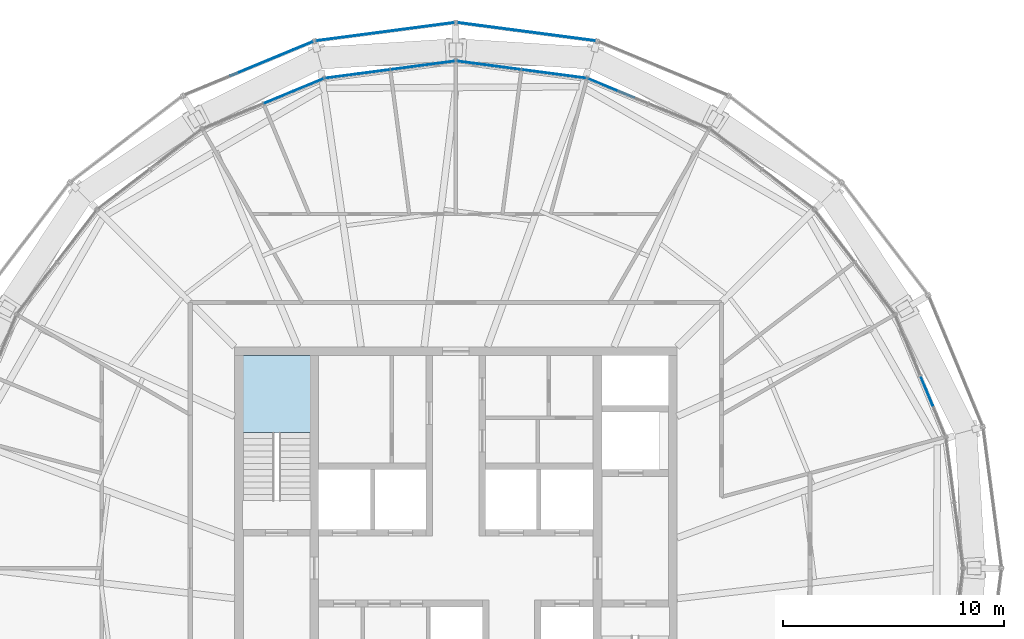
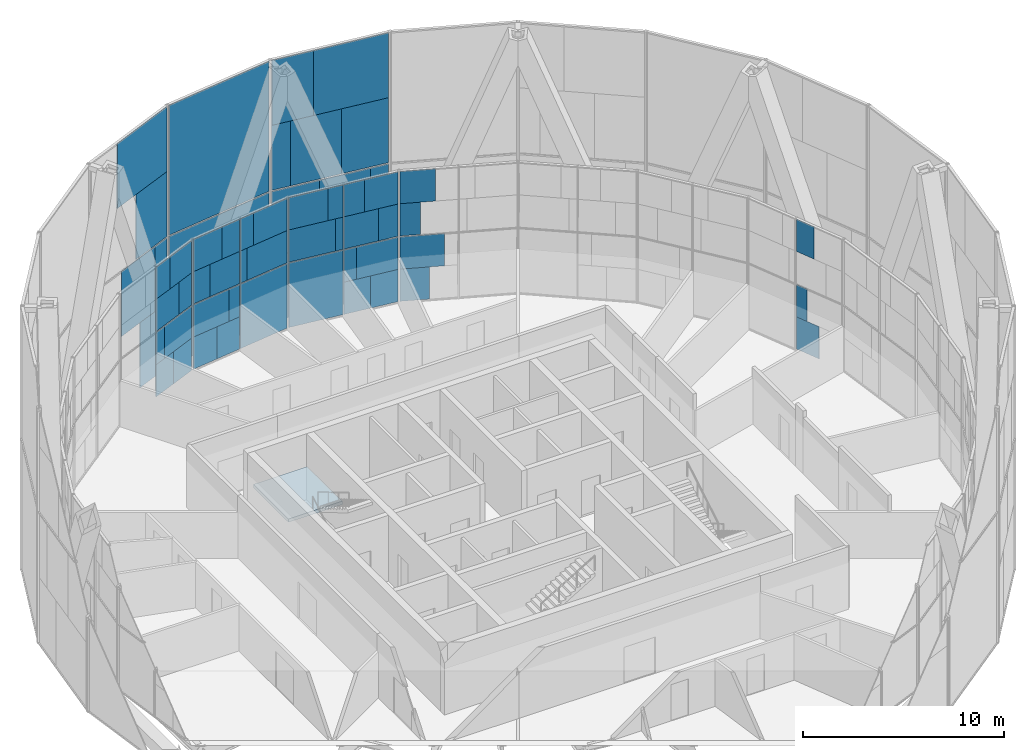
# One storey, part 17 of 23: 58 plates, 1 slab, 9 elements without a shape of their own.
"""IFC4 building model written with IfcOpenShell, lengths in metres."""

from ifc_helpers import new_model, si_unit, direction, frame, origin, origin_2d, place, context, subcontext, project, spatial, polyline, rectangle, outline, extrude, material, layer, layer_set, type_object, element, aggregate, save


model = new_model("IFC4")

# Units and contexts
model_context = context("Model", 3, precision=1e-05, world=origin(), true_north=direction((0.0, 1.0)))
body_context = subcontext(model_context, "Body", "Model", "MODEL_VIEW")
ifc_project = project(units=[si_unit("LENGTHUNIT", "METRE"), si_unit("AREAUNIT", "SQUARE_METRE"), si_unit("VOLUMEUNIT", "CUBIC_METRE"), si_unit("PLANEANGLEUNIT", "RADIAN"), si_unit("MASSUNIT", "GRAM", prefix="KILO")], contexts=[model_context])

# Site, building, storey
site_placement = place(None, origin())
site = spatial("IfcSite", under=ifc_project, at=site_placement, CompositionType="ELEMENT")
building_placement = place(site_placement, origin())
building = spatial("IfcBuilding", under=site, at=building_placement, Name="Golbaran Civic Tower", CompositionType="ELEMENT")
storey_placement = place(building_placement, frame((0.0, 0.0, 232.0)))
storey = spatial("IfcBuildingStorey", under=building, at=storey_placement, Name="L56", CompositionType="ELEMENT", Elevation=232.0)

# Curtain wall, plates
ifc_material_1 = material(Name="Aluminium and glass", Category="aluminium")
curtain_wall_type_1 = type_object("IfcCurtainWallType", Name="INNER SKIN CURTAIN WALL EXECUTIVE", PredefinedType="NOTDEFINED", material=ifc_material_1)
curtain_wall_1_placement = place(storey_placement, origin())
curtain_wall_1 = element("IfcCurtainWall", 1, at=curtain_wall_1_placement, inside=storey, type_object=curtain_wall_type_1, Name="Inner skin L56 facet 2 CW2", ObjectType="INNER SKIN", PredefinedType="USERDEFINED")
ifc_material_2 = material(Name="Clear insulating glass", Category="glass")
ifc_layer_1 = layer(ifc_material_2, 0.031982421875, Name="Clear insulating glass")
ifc_layer_set_1 = layer_set([ifc_layer_1], Name="Clear insulating glass")
plate_type_1 = type_object("IfcPlateType", Name="INNER SKIN CURTAIN WALL EXECUTIVE GLAZED PANEL", PredefinedType="CURTAIN_PANEL", material=ifc_layer_set_1)
plate_1_placement = place(storey_placement, frame((21.271484375, 8.008544921875, 0.06005859375), z_axis=(0.0, 0.0, 1.0), x_axis=(-0.382683432365, 0.923879532511, 0.0)))
plate_1 = element("IfcPlate", 2, at=plate_1_placement, type_object=plate_type_1, Name="CW2 panel 1.1 part 2", PredefinedType="CURTAIN_PANEL", context=body_context, shape_type="SweptSolid", body=[
    extrude(rectangle(XDim=1.4228515625, YDim=0.031982421875, at=origin_2d()), origin(), (0.0, 0.0, 1.0), 1.955078125),
])
plate_2_placement = place(storey_placement, frame((21.127197265625, 8.356689453125, 2.014892578125), z_axis=(0.0, 0.0, 1.0), x_axis=(-0.382683432365, 0.923879532511, 0.0)))
plate_2 = element("IfcPlate", 3, at=plate_2_placement, type_object=plate_type_1, Name="CW2 panel 1.1 part 4", PredefinedType="CURTAIN_PANEL", context=body_context, shape_type="SweptSolid", body=[
    extrude(rectangle(XDim=0.668701171875, YDim=0.031982421875, at=origin_2d()), origin(), (0.0, 0.0, 1.0), 1.955078125),
])

curtain_wall_2_placement = place(storey_placement, origin())
curtain_wall_2 = element("IfcCurtainWall", 4, at=curtain_wall_2_placement, inside=storey, type_object=curtain_wall_type_1, Name="Inner skin L56 facet 5 CW2", ObjectType="INNER SKIN", PredefinedType="USERDEFINED")
plate_3_placement = place(storey_placement, frame((6.464111328125, 21.9111328125, 4.030029296875), z_axis=(0.0, 0.0, 1.0), x_axis=(-0.923879532511, 0.382683432365, 0.0)))
plate_3 = element("IfcPlate", 5, at=plate_3_placement, type_object=plate_type_1, Name="CW2 panel 2.2 part 2", PredefinedType="CURTAIN_PANEL", context=body_context, shape_type="SweptSolid", body=[
    extrude(rectangle(XDim=1.03564453125, YDim=0.031982421875, at=origin_2d()), origin(), (0.0, 0.0, 1.0), 1.955078125),
])
plate_4_placement = place(storey_placement, frame((6.8125, 21.766845703125, 5.98486328125), z_axis=(0.0, 0.0, 1.0), x_axis=(-0.923879532511, 0.382683432365, 0.0)))
plate_4 = element("IfcPlate", 6, at=plate_4_placement, type_object=plate_type_1, Name="CW2 panel 2.2 part 4", PredefinedType="CURTAIN_PANEL", context=body_context, shape_type="SweptSolid", body=[
    extrude(rectangle(XDim=1.789794921875, YDim=0.031982421875, at=origin_2d()), origin(), (0.0, 0.0, 1.0), 1.955078125),
])

curtain_wall_3_placement = place(storey_placement, origin())
curtain_wall_3 = element("IfcCurtainWall", 7, at=curtain_wall_3_placement, inside=storey, type_object=curtain_wall_type_1, Name="Inner skin L56 facet 6 CW2", ObjectType="INNER SKIN", PredefinedType="USERDEFINED")
plate_5_placement = place(storey_placement, frame((3.7001953125, 22.42578125, 0.06005859375), z_axis=(0.0, 0.0, 1.0), x_axis=(-0.991444861378, 0.130526192185, 0.0)))
plate_5 = element("IfcPlate", 8, at=plate_5_placement, type_object=plate_type_1, Name="CW2 panel 1.1 part 2", PredefinedType="CURTAIN_PANEL", context=body_context, shape_type="SweptSolid", body=[
    extrude(rectangle(XDim=1.4228515625, YDim=0.031982421875, at=origin_2d()), origin(), (0.0, 0.0, 1.0), 1.955078125),
])
plate_6_placement = place(storey_placement, frame((3.326416015625, 22.47509765625, 2.014892578125), z_axis=(0.0, 0.0, 1.0), x_axis=(-0.991444861378, 0.130526192185, 0.0)))
plate_6 = element("IfcPlate", 9, at=plate_6_placement, type_object=plate_type_1, Name="CW2 panel 1.1 part 4", PredefinedType="CURTAIN_PANEL", context=body_context, shape_type="SweptSolid", body=[
    extrude(rectangle(XDim=0.668701171875, YDim=0.031982421875, at=origin_2d()), origin(), (0.0, 0.0, 1.0), 1.955078125),
])
plate_7_placement = place(storey_placement, frame((5.357666015625, 22.20751953125, 4.030029296875), z_axis=(0.0, 0.0, 1.0), x_axis=(-0.991444861378, 0.130526192185, 0.0)))
plate_7 = element("IfcPlate", 10, at=plate_7_placement, type_object=plate_type_1, Name="CW2 panel 1.2 part 1", PredefinedType="CURTAIN_PANEL", context=body_context, shape_type="SweptSolid", body=[
    extrude(rectangle(XDim=1.034912109375, YDim=0.031982421875, at=origin_2d()), origin(), (0.0, 0.0, 1.0), 1.955078125),
])
plate_8_placement = place(storey_placement, frame((4.98388671875, 22.2568359375, 5.98486328125), z_axis=(0.0, 0.0, 1.0), x_axis=(-0.991444861378, 0.130526192185, 0.0)))
plate_8 = element("IfcPlate", 11, at=plate_8_placement, type_object=plate_type_1, Name="CW2 panel 1.2 part 3", PredefinedType="CURTAIN_PANEL", context=body_context, shape_type="SweptSolid", body=[
    extrude(rectangle(XDim=1.7890625, YDim=0.031982421875, at=origin_2d()), origin(), (0.0, 0.0, 1.0), 1.955078125),
])
plate_9_placement = place(storey_placement, frame((1.49755859375, 22.7158203125, 0.06005859375), z_axis=(0.0, 0.0, 1.0), x_axis=(-0.991444861378, 0.130526192185, 0.0)))
plate_9 = element("IfcPlate", 12, at=plate_9_placement, type_object=plate_type_1, Name="CW2 panel 2.1", PredefinedType="CURTAIN_PANEL", context=body_context, shape_type="SweptSolid", body=[
    extrude(rectangle(XDim=2.900634765625, YDim=0.031982421875, at=origin_2d()), origin(), (0.0, 0.0, 1.0), 3.909912109375),
])
plate_10_placement = place(storey_placement, frame((1.299072265625, 22.741943359375, 4.030029296875), z_axis=(0.0, 0.0, 1.0), x_axis=(-0.991444861378, 0.130526192185, 0.0)))
plate_10 = element("IfcPlate", 13, at=plate_10_placement, type_object=plate_type_1, Name="CW2 panel 2.2 part 2", PredefinedType="CURTAIN_PANEL", context=body_context, shape_type="SweptSolid", body=[
    extrude(rectangle(XDim=2.500732421875, YDim=0.031982421875, at=origin_2d()), origin(), (0.0, 0.0, 1.0), 1.955078125),
])
plate_11_placement = place(storey_placement, frame((1.099853515625, 22.768310546875, 5.98486328125), z_axis=(0.0, 0.0, 1.0), x_axis=(-0.991444861378, 0.130526192185, 0.0)))
plate_11 = element("IfcPlate", 14, at=plate_11_placement, type_object=plate_type_1, Name="CW2 panel 2.2 part 4", PredefinedType="CURTAIN_PANEL", context=body_context, shape_type="SweptSolid", body=[
    extrude(rectangle(XDim=2.0986328125, YDim=0.031982421875, at=origin_2d()), origin(), (0.0, 0.0, 1.0), 1.955078125),
])

curtain_wall_4_placement = place(storey_placement, origin())
curtain_wall_4 = element("IfcCurtainWall", 15, at=curtain_wall_4_placement, inside=storey, type_object=curtain_wall_type_1, Name="Inner skin L56 facet 7 CW2", ObjectType="INNER SKIN", PredefinedType="USERDEFINED")
plate_12_placement = place(storey_placement, frame((-1.49755859375, 22.7158203125, 0.06005859375), z_axis=(0.0, 0.0, 1.0), x_axis=(-0.991444861378, -0.130526192185, 0.0)))
plate_12 = element("IfcPlate", 16, at=plate_12_placement, type_object=plate_type_1, Name="CW2 panel 1.1", PredefinedType="CURTAIN_PANEL", context=body_context, shape_type="SweptSolid", body=[
    extrude(rectangle(XDim=2.900634765625, YDim=0.031982421875, at=origin_2d()), origin(), (0.0, 0.0, 1.0), 3.909912109375),
])
plate_13_placement = place(storey_placement, frame((-1.29833984375, 22.7421875, 4.030029296875), z_axis=(0.0, 0.0, 1.0), x_axis=(-0.991444861378, -0.130526192185, 0.0)))
plate_13 = element("IfcPlate", 17, at=plate_13_placement, type_object=plate_type_1, Name="CW2 panel 1.2 part 1", PredefinedType="CURTAIN_PANEL", context=body_context, shape_type="SweptSolid", body=[
    extrude(rectangle(XDim=2.4990234375, YDim=0.031982421875, at=origin_2d()), origin(), (0.0, 0.0, 1.0), 1.955078125),
])
plate_14_placement = place(storey_placement, frame((-1.099609375, 22.768310546875, 5.98486328125), z_axis=(0.0, 0.0, 1.0), x_axis=(-0.991444861378, -0.130526192185, 0.0)))
plate_14 = element("IfcPlate", 18, at=plate_14_placement, type_object=plate_type_1, Name="CW2 panel 1.2 part 3", PredefinedType="CURTAIN_PANEL", context=body_context, shape_type="SweptSolid", body=[
    extrude(rectangle(XDim=2.097900390625, YDim=0.031982421875, at=origin_2d()), origin(), (0.0, 0.0, 1.0), 1.955078125),
])
plate_15_placement = place(storey_placement, frame((-3.7001953125, 22.42578125, 0.06005859375), z_axis=(0.0, 0.0, 1.0), x_axis=(-0.991444861378, -0.130526192185, 0.0)))
plate_15 = element("IfcPlate", 19, at=plate_15_placement, type_object=plate_type_1, Name="CW2 panel 2.1 part 1", PredefinedType="CURTAIN_PANEL", context=body_context, shape_type="SweptSolid", body=[
    extrude(rectangle(XDim=1.423095703125, YDim=0.031982421875, at=origin_2d()), origin(), (0.0, 0.0, 1.0), 1.955078125),
])
plate_16_placement = place(storey_placement, frame((-3.32666015625, 22.47509765625, 2.014892578125), z_axis=(0.0, 0.0, 1.0), x_axis=(-0.991444861378, -0.130526192185, 0.0)))
plate_16 = element("IfcPlate", 20, at=plate_16_placement, type_object=plate_type_1, Name="CW2 panel 2.1 part 3", PredefinedType="CURTAIN_PANEL", context=body_context, shape_type="SweptSolid", body=[
    extrude(rectangle(XDim=0.6689453125, YDim=0.031982421875, at=origin_2d()), origin(), (0.0, 0.0, 1.0), 1.955078125),
])
plate_17_placement = place(storey_placement, frame((-5.357421875, 22.207763671875, 4.030029296875), z_axis=(0.0, 0.0, 1.0), x_axis=(-0.991444861378, -0.130526192185, 0.0)))
plate_17 = element("IfcPlate", 21, at=plate_17_placement, type_object=plate_type_1, Name="CW2 panel 2.2 part 2", PredefinedType="CURTAIN_PANEL", context=body_context, shape_type="SweptSolid", body=[
    extrude(rectangle(XDim=1.03564453125, YDim=0.031982421875, at=origin_2d()), origin(), (0.0, 0.0, 1.0), 1.955078125),
])
plate_18_placement = place(storey_placement, frame((-4.983642578125, 22.2568359375, 5.98486328125), z_axis=(0.0, 0.0, 1.0), x_axis=(-0.991444861378, -0.130526192185, 0.0)))
plate_18 = element("IfcPlate", 22, at=plate_18_placement, type_object=plate_type_1, Name="CW2 panel 2.2 part 4", PredefinedType="CURTAIN_PANEL", context=body_context, shape_type="SweptSolid", body=[
    extrude(rectangle(XDim=1.789794921875, YDim=0.031982421875, at=origin_2d()), origin(), (0.0, 0.0, 1.0), 1.955078125),
])

curtain_wall_5_placement = place(storey_placement, origin())
curtain_wall_5 = element("IfcCurtainWall", 23, at=curtain_wall_5_placement, inside=storey, type_object=curtain_wall_type_1, Name="Inner skin L56 facet 8 CW2", ObjectType="INNER SKIN", PredefinedType="USERDEFINED")
plate_19_placement = place(storey_placement, frame((-8.008544921875, 21.271484375, 0.06005859375), z_axis=(0.0, 0.0, 1.0), x_axis=(-0.923879532511, -0.382683432365, 0.0)))
plate_19 = element("IfcPlate", 24, at=plate_19_placement, type_object=plate_type_1, Name="CW2 panel 1.1 part 2", PredefinedType="CURTAIN_PANEL", context=body_context, shape_type="SweptSolid", body=[
    extrude(rectangle(XDim=1.4228515625, YDim=0.031982421875, at=origin_2d()), origin(), (0.0, 0.0, 1.0), 1.955078125),
])
plate_20_placement = place(storey_placement, frame((-8.356689453125, 21.127197265625, 2.014892578125), z_axis=(0.0, 0.0, 1.0), x_axis=(-0.923879532511, -0.382683432365, 0.0)))
plate_20 = element("IfcPlate", 25, at=plate_20_placement, type_object=plate_type_1, Name="CW2 panel 1.1 part 4", PredefinedType="CURTAIN_PANEL", context=body_context, shape_type="SweptSolid", body=[
    extrude(rectangle(XDim=0.668701171875, YDim=0.031982421875, at=origin_2d()), origin(), (0.0, 0.0, 1.0), 1.955078125),
])
plate_21_placement = place(storey_placement, frame((-6.4638671875, 21.911376953125, 4.030029296875), z_axis=(0.0, 0.0, 1.0), x_axis=(-0.923879532511, -0.382683432365, 0.0)))
plate_21 = element("IfcPlate", 26, at=plate_21_placement, type_object=plate_type_1, Name="CW2 panel 1.2 part 1", PredefinedType="CURTAIN_PANEL", context=body_context, shape_type="SweptSolid", body=[
    extrude(rectangle(XDim=1.034912109375, YDim=0.031982421875, at=origin_2d()), origin(), (0.0, 0.0, 1.0), 1.955078125),
])
plate_22_placement = place(storey_placement, frame((-6.812255859375, 21.76708984375, 5.98486328125), z_axis=(0.0, 0.0, 1.0), x_axis=(-0.923879532511, -0.382683432365, 0.0)))
plate_22 = element("IfcPlate", 27, at=plate_22_placement, type_object=plate_type_1, Name="CW2 panel 1.2 part 3", PredefinedType="CURTAIN_PANEL", context=body_context, shape_type="SweptSolid", body=[
    extrude(rectangle(XDim=1.7890625, YDim=0.031982421875, at=origin_2d()), origin(), (0.0, 0.0, 1.0), 1.955078125),
])

# Plate
ifc_material_3 = material(Name="Aluminium faced opaque infill panel", Category="aluminium")
ifc_layer_2 = layer(ifc_material_3, 0.031982421875, Name="Aluminium faced opaque infill panel")
ifc_layer_set_2 = layer_set([ifc_layer_2], Name="Aluminium faced opaque infill panel")
plate_type_2 = type_object("IfcPlateType", Name="INNER SKIN CURTAIN WALL EXECUTIVE OPAQUE INFILL PANEL", PredefinedType="CURTAIN_PANEL", material=ifc_layer_set_2)
plate_23_placement = place(storey_placement, frame((21.2119140625, 8.152099609375, 5.98486328125), z_axis=(0.0, 0.0, 1.0), x_axis=(-0.382683432365, 0.923879532511, 0.0)))
plate_23 = element("IfcPlate", 28, at=plate_23_placement, type_object=plate_type_2, Name="CW2 infill panel 1.2 part 4", PredefinedType="CURTAIN_PANEL", context=body_context, shape_type="SweptSolid", body=[
    extrude(rectangle(XDim=1.11181640625, YDim=0.031982421875, at=origin_2d()), origin(), (0.0, 0.0, 1.0), 1.955078125),
])

aggregate(curtain_wall_1, [plate_1, plate_2, plate_23])

plate_24_placement = place(storey_placement, frame((6.66845703125, 21.82666015625, 0.06005859375), z_axis=(0.0, 0.0, 1.0), x_axis=(-0.923879532511, 0.382683432365, 0.0)))
plate_24 = element("IfcPlate", 29, at=plate_24_placement, type_object=plate_type_2, Name="CW2 infill panel 2.1 part 2", PredefinedType="CURTAIN_PANEL", context=body_context, shape_type="SweptSolid", body=[
    extrude(rectangle(XDim=1.477783203125, YDim=0.031982421875, at=origin_2d()), origin(), (0.0, 0.0, 1.0), 1.955078125),
])

plate_25_placement = place(storey_placement, frame((7.0166015625, 21.682373046875, 2.014892578125), z_axis=(0.0, 0.0, 1.0), x_axis=(-0.923879532511, 0.382683432365, 0.0)))
plate_25 = element("IfcPlate", 30, at=plate_25_placement, type_object=plate_type_2, Name="CW2 infill panel 2.1 part 4", PredefinedType="CURTAIN_PANEL", context=body_context, shape_type="SweptSolid", body=[
    extrude(rectangle(XDim=2.231689453125, YDim=0.031982421875, at=origin_2d()), origin(), (0.0, 0.0, 1.0), 1.955078125),
])

aggregate(curtain_wall_2, [plate_24, plate_25, plate_3, plate_4])

plate_26_placement = place(storey_placement, frame((5.13818359375, 22.236572265625, 0.06005859375), z_axis=(0.0, 0.0, 1.0), x_axis=(-0.991444861378, 0.130526192185, 0.0)))
plate_26 = element("IfcPlate", 31, at=plate_26_placement, type_object=plate_type_2, Name="CW2 infill panel 1.1 part 1", PredefinedType="CURTAIN_PANEL", context=body_context, shape_type="SweptSolid", body=[
    extrude(rectangle(XDim=1.47802734375, YDim=0.031982421875, at=origin_2d()), origin(), (0.0, 0.0, 1.0), 1.955078125),
])

plate_27_placement = place(storey_placement, frame((4.764404296875, 22.28564453125, 2.014892578125), z_axis=(0.0, 0.0, 1.0), x_axis=(-0.991444861378, 0.130526192185, 0.0)))
plate_27 = element("IfcPlate", 32, at=plate_27_placement, type_object=plate_type_2, Name="CW2 infill panel 1.1 part 3", PredefinedType="CURTAIN_PANEL", context=body_context, shape_type="SweptSolid", body=[
    extrude(rectangle(XDim=2.23193359375, YDim=0.031982421875, at=origin_2d()), origin(), (0.0, 0.0, 1.0), 1.955078125),
])

plate_28_placement = place(storey_placement, frame((3.919677734375, 22.39697265625, 4.030029296875), z_axis=(0.0, 0.0, 1.0), x_axis=(-0.991444861378, 0.130526192185, 0.0)))
plate_28 = element("IfcPlate", 33, at=plate_28_placement, type_object=plate_type_2, Name="CW2 infill panel 1.2 part 2", PredefinedType="CURTAIN_PANEL", context=body_context, shape_type="SweptSolid", body=[
    extrude(rectangle(XDim=1.86572265625, YDim=0.031982421875, at=origin_2d()), origin(), (0.0, 0.0, 1.0), 1.955078125),
])

plate_29_placement = place(storey_placement, frame((3.546142578125, 22.446044921875, 5.98486328125), z_axis=(0.0, 0.0, 1.0), x_axis=(-0.991444861378, 0.130526192185, 0.0)))
plate_29 = element("IfcPlate", 34, at=plate_29_placement, type_object=plate_type_2, Name="CW2 infill panel 1.2 part 4", PredefinedType="CURTAIN_PANEL", context=body_context, shape_type="SweptSolid", body=[
    extrude(rectangle(XDim=1.11181640625, YDim=0.031982421875, at=origin_2d()), origin(), (0.0, 0.0, 1.0), 1.955078125),
])

plate_30_placement = place(storey_placement, frame((2.737060546875, 22.552734375, 4.030029296875), z_axis=(0.0, 0.0, 1.0), x_axis=(-0.991444861378, 0.130526192185, 0.0)))
plate_30 = element("IfcPlate", 35, at=plate_30_placement, type_object=plate_type_2, Name="CW2 infill panel 2.2 part 1", PredefinedType="CURTAIN_PANEL", context=body_context, shape_type="SweptSolid", body=[
    extrude(rectangle(XDim=0.39990234375, YDim=0.031982421875, at=origin_2d()), origin(), (0.0, 0.0, 1.0), 1.955078125),
])

plate_31_placement = place(storey_placement, frame((2.537841796875, 22.578857421875, 5.98486328125), z_axis=(0.0, 0.0, 1.0), x_axis=(-0.991444861378, 0.130526192185, 0.0)))
plate_31 = element("IfcPlate", 36, at=plate_31_placement, type_object=plate_type_2, Name="CW2 infill panel 2.2 part 3", PredefinedType="CURTAIN_PANEL", context=body_context, shape_type="SweptSolid", body=[
    extrude(rectangle(XDim=0.802001953125, YDim=0.031982421875, at=origin_2d()), origin(), (0.0, 0.0, 1.0), 1.955078125),
])

aggregate(curtain_wall_3, [plate_26, plate_5, plate_27, plate_6, plate_7, plate_28, plate_8, plate_29, plate_9, plate_30, plate_10, plate_31, plate_11])

plate_32_placement = place(storey_placement, frame((-2.736328125, 22.552734375, 4.030029296875), z_axis=(0.0, 0.0, 1.0), x_axis=(-0.991444861378, -0.130526192185, 0.0)))
plate_32 = element("IfcPlate", 37, at=plate_32_placement, type_object=plate_type_2, Name="CW2 infill panel 1.2 part 2", PredefinedType="CURTAIN_PANEL", context=body_context, shape_type="SweptSolid", body=[
    extrude(rectangle(XDim=0.40185546875, YDim=0.031982421875, at=origin_2d()), origin(), (0.0, 0.0, 1.0), 1.955078125),
])

plate_33_placement = place(storey_placement, frame((-2.53759765625, 22.578857421875, 5.98486328125), z_axis=(0.0, 0.0, 1.0), x_axis=(-0.991444861378, -0.130526192185, 0.0)))
plate_33 = element("IfcPlate", 38, at=plate_33_placement, type_object=plate_type_2, Name="CW2 infill panel 1.2 part 4", PredefinedType="CURTAIN_PANEL", context=body_context, shape_type="SweptSolid", body=[
    extrude(rectangle(XDim=0.802734375, YDim=0.031982421875, at=origin_2d()), origin(), (0.0, 0.0, 1.0), 1.955078125),
])

plate_34_placement = place(storey_placement, frame((-5.13818359375, 22.236572265625, 0.06005859375), z_axis=(0.0, 0.0, 1.0), x_axis=(-0.991444861378, -0.130526192185, 0.0)))
plate_34 = element("IfcPlate", 39, at=plate_34_placement, type_object=plate_type_2, Name="CW2 infill panel 2.1 part 2", PredefinedType="CURTAIN_PANEL", context=body_context, shape_type="SweptSolid", body=[
    extrude(rectangle(XDim=1.477783203125, YDim=0.031982421875, at=origin_2d()), origin(), (0.0, 0.0, 1.0), 1.955078125),
])

plate_35_placement = place(storey_placement, frame((-4.764404296875, 22.28564453125, 2.014892578125), z_axis=(0.0, 0.0, 1.0), x_axis=(-0.991444861378, -0.130526192185, 0.0)))
plate_35 = element("IfcPlate", 40, at=plate_35_placement, type_object=plate_type_2, Name="CW2 infill panel 2.1 part 4", PredefinedType="CURTAIN_PANEL", context=body_context, shape_type="SweptSolid", body=[
    extrude(rectangle(XDim=2.231689453125, YDim=0.031982421875, at=origin_2d()), origin(), (0.0, 0.0, 1.0), 1.955078125),
])

plate_36_placement = place(storey_placement, frame((-3.91943359375, 22.39697265625, 4.030029296875), z_axis=(0.0, 0.0, 1.0), x_axis=(-0.991444861378, -0.130526192185, 0.0)))
plate_36 = element("IfcPlate", 41, at=plate_36_placement, type_object=plate_type_2, Name="CW2 infill panel 2.2 part 1", PredefinedType="CURTAIN_PANEL", context=body_context, shape_type="SweptSolid", body=[
    extrude(rectangle(XDim=1.864990234375, YDim=0.031982421875, at=origin_2d()), origin(), (0.0, 0.0, 1.0), 1.955078125),
])

plate_37_placement = place(storey_placement, frame((-3.545654296875, 22.4462890625, 5.98486328125), z_axis=(0.0, 0.0, 1.0), x_axis=(-0.991444861378, -0.130526192185, 0.0)))
plate_37 = element("IfcPlate", 42, at=plate_37_placement, type_object=plate_type_2, Name="CW2 infill panel 2.2 part 3", PredefinedType="CURTAIN_PANEL", context=body_context, shape_type="SweptSolid", body=[
    extrude(rectangle(XDim=1.111083984375, YDim=0.031982421875, at=origin_2d()), origin(), (0.0, 0.0, 1.0), 1.955078125),
])

aggregate(curtain_wall_4, [plate_12, plate_13, plate_32, plate_14, plate_33, plate_15, plate_34, plate_16, plate_35, plate_36, plate_17, plate_37, plate_18])

plate_38_placement = place(storey_placement, frame((-6.66845703125, 21.826416015625, 0.06005859375), z_axis=(0.0, 0.0, 1.0), x_axis=(-0.923879532511, -0.382683432365, 0.0)))
plate_38 = element("IfcPlate", 43, at=plate_38_placement, type_object=plate_type_2, Name="CW2 infill panel 1.1 part 1", PredefinedType="CURTAIN_PANEL", context=body_context, shape_type="SweptSolid", body=[
    extrude(rectangle(XDim=1.47802734375, YDim=0.031982421875, at=origin_2d()), origin(), (0.0, 0.0, 1.0), 1.955078125),
])

plate_39_placement = place(storey_placement, frame((-7.016845703125, 21.68212890625, 2.014892578125), z_axis=(0.0, 0.0, 1.0), x_axis=(-0.923879532511, -0.382683432365, 0.0)))
plate_39 = element("IfcPlate", 44, at=plate_39_placement, type_object=plate_type_2, Name="CW2 infill panel 1.1 part 3", PredefinedType="CURTAIN_PANEL", context=body_context, shape_type="SweptSolid", body=[
    extrude(rectangle(XDim=2.23193359375, YDim=0.031982421875, at=origin_2d()), origin(), (0.0, 0.0, 1.0), 1.955078125),
])

plate_40_placement = place(storey_placement, frame((-7.8037109375, 21.356201171875, 4.030029296875), z_axis=(0.0, 0.0, 1.0), x_axis=(-0.923879532511, -0.382683432365, 0.0)))
plate_40 = element("IfcPlate", 45, at=plate_40_placement, type_object=plate_type_2, Name="CW2 infill panel 1.2 part 2", PredefinedType="CURTAIN_PANEL", context=body_context, shape_type="SweptSolid", body=[
    extrude(rectangle(XDim=1.86572265625, YDim=0.031982421875, at=origin_2d()), origin(), (0.0, 0.0, 1.0), 1.955078125),
])

plate_41_placement = place(storey_placement, frame((-8.152099609375, 21.2119140625, 5.98486328125), z_axis=(0.0, 0.0, 1.0), x_axis=(-0.923879532511, -0.382683432365, 0.0)))
plate_41 = element("IfcPlate", 46, at=plate_41_placement, type_object=plate_type_2, Name="CW2 infill panel 1.2 part 4", PredefinedType="CURTAIN_PANEL", context=body_context, shape_type="SweptSolid", body=[
    extrude(rectangle(XDim=1.11181640625, YDim=0.031982421875, at=origin_2d()), origin(), (0.0, 0.0, 1.0), 1.955078125),
])

aggregate(curtain_wall_5, [plate_38, plate_19, plate_39, plate_20, plate_21, plate_40, plate_22, plate_41])

# Curtain wall, plates
curtain_wall_type_2 = type_object("IfcCurtainWallType", Name="OUTER SKIN TERRACOTTA SCREEN", PredefinedType="NOTDEFINED", material=ifc_material_1)
curtain_wall_6_placement = place(storey_placement, origin())
curtain_wall_6 = element("IfcCurtainWall", 47, at=curtain_wall_6_placement, inside=storey, type_object=curtain_wall_type_2, Name="Outer skin L56 facet 6 CW3", ObjectType="OUTER SKIN", PredefinedType="USERDEFINED")
ifc_material_4 = material(Name="Clear laminated glass", Category="glass")
ifc_layer_3 = layer(ifc_material_4, 0.0400390625, Name="Clear laminated glass")
ifc_layer_set_3 = layer_set([ifc_layer_3], Name="Clear laminated glass")
plate_type_3 = type_object("IfcPlateType", Name="OUTER SKIN CLEAR GLASS PANEL", PredefinedType="CURTAIN_PANEL", material=ifc_layer_set_3)
plate_42_placement = place(storey_placement, frame((2.107421875, 24.37744140625, -0.6298828125), z_axis=(0.0, 0.0, 1.0), x_axis=(-0.991444861372, 0.130526192237, 0.0)))
plate_42 = element("IfcPlate", 48, at=plate_42_placement, type_object=plate_type_3, Name="CW3 panel 1.1 part 2", PredefinedType="CURTAIN_PANEL", context=body_context, shape_type="SweptSolid", body=[
    extrude(rectangle(XDim=4.09130859375, YDim=0.0400390625, at=origin_2d()), origin(), (0.0, 0.0, 1.0), 3.93994140625),
])
plate_43_placement = place(storey_placement, frame((5.823486328125, 23.888427734375, 3.31005859375), z_axis=(0.0, 0.0, 1.0), x_axis=(-0.991444861372, 0.130526192237, 0.0)))
plate_43 = element("IfcPlate", 49, at=plate_43_placement, type_object=plate_type_3, Name="CW3 panel 1.1 part 3", PredefinedType="CURTAIN_PANEL", context=body_context, shape_type="SweptSolid", body=[
    extrude(rectangle(XDim=0.965087890625, YDim=0.0400390625, at=origin_2d()), origin(), (0.0, 0.0, 1.0), 3.93994140625),
])
plate_44_placement = place(storey_placement, frame((1.3544921875, 24.476806640625, 3.31005859375), z_axis=(0.0, 0.0, 1.0), x_axis=(-0.991444861372, 0.130526192237, 0.0)))
plate_44 = element("IfcPlate", 50, at=plate_44_placement, type_object=plate_type_3, Name="CW3 panel 1.1 part 5", PredefinedType="CURTAIN_PANEL", context=body_context, shape_type="SweptSolid", body=[
    extrude(rectangle(XDim=2.572265625, YDim=0.0400390625, at=origin_2d()), origin(), (0.0, 0.0, 1.0), 3.93994140625),
])
plate_45_placement = place(storey_placement, frame((5.05517578125, 23.989501953125, 7.330078125), z_axis=(0.0, 0.0, 1.0), x_axis=(-0.991444861372, 0.130526192237, 0.0)))
plate_45 = element("IfcPlate", 51, at=plate_45_placement, type_object=plate_type_3, Name="CW3 panel 1.2 part 1", PredefinedType="CURTAIN_PANEL", context=body_context, shape_type="SweptSolid", body=[
    extrude(rectangle(XDim=2.514892578125, YDim=0.0400390625, at=origin_2d()), origin(), (0.0, 0.0, 1.0), 3.93994140625),
])
plate_46_placement = place(storey_placement, frame((0.58544921875, 24.577880859375, 7.330078125), z_axis=(0.0, 0.0, 1.0), x_axis=(-0.991444861372, 0.130526192237, 0.0)))
plate_46 = element("IfcPlate", 52, at=plate_46_placement, type_object=plate_type_3, Name="CW3 panel 1.2 part 3", PredefinedType="CURTAIN_PANEL", context=body_context, shape_type="SweptSolid", body=[
    extrude(rectangle(XDim=1.021240234375, YDim=0.0400390625, at=origin_2d()), origin(), (0.0, 0.0, 1.0), 3.93994140625),
])
plate_47_placement = place(storey_placement, frame((4.299072265625, 24.089111328125, 11.27001953125), z_axis=(0.0, 0.0, 1.0), x_axis=(-0.991444861372, 0.130526192237, 0.0)))
plate_47 = element("IfcPlate", 53, at=plate_47_placement, type_object=plate_type_3, Name="CW3 panel 1.2 part 4", PredefinedType="CURTAIN_PANEL", context=body_context, shape_type="SweptSolid", body=[
    extrude(rectangle(XDim=4.0400390625, YDim=0.0400390625, at=origin_2d()), origin(), (0.0, 0.0, 1.0), 3.93994140625),
])

curtain_wall_7_placement = place(storey_placement, origin())
curtain_wall_7 = element("IfcCurtainWall", 54, at=curtain_wall_7_placement, inside=storey, type_object=curtain_wall_type_2, Name="Outer skin L56 facet 8 CW3", ObjectType="OUTER SKIN", PredefinedType="USERDEFINED")
plate_48_placement = place(storey_placement, frame((-6.90087890625, 23.599609375, 3.31005859375), z_axis=(0.0, 0.0, 1.0), x_axis=(-0.923879532505, -0.382683432381, 0.0)))
plate_48 = element("IfcPlate", 55, at=plate_48_placement, type_object=plate_type_3, Name="CW3 panel 1.1 part 3", PredefinedType="CURTAIN_PANEL", context=body_context, shape_type="SweptSolid", body=[
    extrude(rectangle(XDim=0.965087890625, YDim=0.0400390625, at=origin_2d()), origin(), (0.0, 0.0, 1.0), 3.93994140625),
])
plate_49_placement = place(storey_placement, frame((-7.616943359375, 23.302978515625, 7.330078125), z_axis=(0.0, 0.0, 1.0), x_axis=(-0.923879532505, -0.382683432381, 0.0)))
plate_49 = element("IfcPlate", 56, at=plate_49_placement, type_object=plate_type_3, Name="CW3 panel 1.2 part 1", PredefinedType="CURTAIN_PANEL", context=body_context, shape_type="SweptSolid", body=[
    extrude(rectangle(XDim=2.514892578125, YDim=0.0400390625, at=origin_2d()), origin(), (0.0, 0.0, 1.0), 3.93994140625),
])
plate_50_placement = place(storey_placement, frame((-8.3212890625, 23.01123046875, 11.27001953125), z_axis=(0.0, 0.0, 1.0), x_axis=(-0.923879532505, -0.382683432381, 0.0)))
plate_50 = element("IfcPlate", 57, at=plate_50_placement, type_object=plate_type_3, Name="CW3 panel 1.2 part 4", PredefinedType="CURTAIN_PANEL", context=body_context, shape_type="SweptSolid", body=[
    extrude(rectangle(XDim=4.0400390625, YDim=0.0400390625, at=origin_2d()), origin(), (0.0, 0.0, 1.0), 3.93994140625),
])

# Plate
ifc_material_5 = material(Name="Terracotta baguette screen", Category="masonry")
ifc_layer_4 = layer(ifc_material_5, 0.0400390625, Name="Terracotta baguette screen")
ifc_layer_set_4 = layer_set([ifc_layer_4], Name="Terracotta baguette screen")
plate_type_4 = type_object("IfcPlateType", Name="OUTER SKIN TERRACOTTA INFILL PANEL", PredefinedType="CURTAIN_PANEL", material=ifc_layer_set_4)
plate_51_placement = place(storey_placement, frame((5.21875, 23.968017578125, -0.6298828125), z_axis=(0.0, 0.0, 1.0), x_axis=(-0.991444861372, 0.130526192237, 0.0)))
plate_51 = element("IfcPlate", 58, at=plate_51_placement, type_object=plate_type_4, Name="CW3 infill panel 1.1 part 1", PredefinedType="CURTAIN_PANEL", context=body_context, shape_type="SweptSolid", body=[
    extrude(rectangle(XDim=2.18505859375, YDim=0.0400390625, at=origin_2d()), origin(), (0.0, 0.0, 1.0), 3.93994140625),
])

plate_52_placement = place(storey_placement, frame((3.9873046875, 24.130126953125, 3.31005859375), z_axis=(0.0, 0.0, 1.0), x_axis=(-0.991444861372, 0.130526192237, 0.0)))
plate_52 = element("IfcPlate", 59, at=plate_52_placement, type_object=plate_type_4, Name="CW3 infill panel 1.1 part 4", PredefinedType="CURTAIN_PANEL", context=body_context, shape_type="SweptSolid", body=[
    extrude(rectangle(XDim=2.739013671875, YDim=0.0400390625, at=origin_2d()), origin(), (0.0, 0.0, 1.0), 3.93994140625),
])

plate_53_placement = place(storey_placement, frame((2.4501953125, 24.33251953125, 7.330078125), z_axis=(0.0, 0.0, 1.0), x_axis=(-0.991444861372, 0.130526192237, 0.0)))
plate_53 = element("IfcPlate", 60, at=plate_53_placement, type_object=plate_type_4, Name="CW3 infill panel 1.2 part 2", PredefinedType="CURTAIN_PANEL", context=body_context, shape_type="SweptSolid", body=[
    extrude(rectangle(XDim=2.739990234375, YDim=0.0400390625, at=origin_2d()), origin(), (0.0, 0.0, 1.0), 3.93994140625),
])

plate_54_placement = place(storey_placement, frame((1.18798828125, 24.49853515625, 11.27001953125), z_axis=(0.0, 0.0, 1.0), x_axis=(-0.991444861372, 0.130526192237, 0.0)))
plate_54 = element("IfcPlate", 61, at=plate_54_placement, type_object=plate_type_4, Name="CW3 infill panel 1.2 part 5", PredefinedType="CURTAIN_PANEL", context=body_context, shape_type="SweptSolid", body=[
    extrude(rectangle(XDim=2.236328125, YDim=0.0400390625, at=origin_2d()), origin(), (0.0, 0.0, 1.0), 3.93994140625),
])

aggregate(curtain_wall_6, [plate_51, plate_42, plate_43, plate_52, plate_44, plate_45, plate_53, plate_46, plate_47, plate_54])

plate_55_placement = place(storey_placement, frame((-7.46435546875, 23.3662109375, -0.6298828125), z_axis=(0.0, 0.0, 1.0), x_axis=(-0.923879532505, -0.382683432381, 0.0)))
plate_55 = element("IfcPlate", 62, at=plate_55_placement, type_object=plate_type_4, Name="CW3 infill panel 1.1 part 1", PredefinedType="CURTAIN_PANEL", context=body_context, shape_type="SweptSolid", body=[
    extrude(rectangle(XDim=2.18505859375, YDim=0.0400390625, at=origin_2d()), origin(), (0.0, 0.0, 1.0), 3.93994140625),
])

plate_56_placement = place(storey_placement, frame((-8.61181640625, 22.890869140625, 3.31005859375), z_axis=(0.0, 0.0, 1.0), x_axis=(-0.923879532505, -0.382683432381, 0.0)))
plate_56 = element("IfcPlate", 63, at=plate_56_placement, type_object=plate_type_4, Name="CW3 infill panel 1.1 part 4", PredefinedType="CURTAIN_PANEL", context=body_context, shape_type="SweptSolid", body=[
    extrude(rectangle(XDim=2.739013671875, YDim=0.0400390625, at=origin_2d()), origin(), (0.0, 0.0, 1.0), 3.93994140625),
])

aggregate(curtain_wall_7, [plate_55, plate_48, plate_56, plate_49, plate_50])

# Curtain wall, plates
curtain_wall_8_placement = place(storey_placement, origin())
curtain_wall_8 = element("IfcCurtainWall", 64, at=curtain_wall_8_placement, inside=storey, type_object=curtain_wall_type_2, Name="Outer skin L56 facet 7 CW3", ObjectType="OUTER SKIN", PredefinedType="USERDEFINED")
ifc_layer_5 = layer(ifc_material_5, 0.0400390625, Name="Terracotta baguette screen")
ifc_layer_set_5 = layer_set([ifc_layer_5], Name="Terracotta baguette screen")
plate_type_5 = type_object("IfcPlateType", Name="OUTER SKIN TERRACOTTA SCREEN PANEL", PredefinedType="CURTAIN_PANEL", material=ifc_layer_set_5)
plate_57_placement = place(storey_placement, frame((-3.190673828125, 24.23486328125, -0.6298828125), z_axis=(0.0, 0.0, 1.0), x_axis=(-0.991444861372, -0.130526192237, 0.0)))
plate_57 = element("IfcPlate", 65, at=plate_57_placement, type_object=plate_type_5, Name="CW3 terracotta screen panel 1.1", PredefinedType="CURTAIN_PANEL", context=body_context, shape_type="SweptSolid", body=[
    extrude(rectangle(XDim=6.2763671875, YDim=0.0400390625, at=origin_2d()), origin(), (0.0, 0.0, 1.0), 7.8798828125),
])
plate_58_placement = place(storey_placement, frame((-3.190673828125, 24.23486328125, 7.330078125), z_axis=(0.0, 0.0, 1.0), x_axis=(-0.991444861372, -0.130526192237, 0.0)))
plate_58 = element("IfcPlate", 66, at=plate_58_placement, type_object=plate_type_5, Name="CW3 terracotta screen panel 1.2", PredefinedType="CURTAIN_PANEL", context=body_context, shape_type="SweptSolid", body=[
    extrude(rectangle(XDim=6.2763671875, YDim=0.0400390625, at=origin_2d()), origin(), (0.0, 0.0, 1.0), 7.8798828125),
])
aggregate(curtain_wall_8, [plate_57, plate_58])

# Stair, slab
ifc_material_6 = material(Name="Concrete C35/45", Category="concrete")
stair_type = type_object("IfcStairType", Name="EXIT STAIR 3000 x 7850, 4000 RISE", PredefinedType="HALF_TURN_STAIR", material=ifc_material_6)
stair_placement = place(storey_placement, origin())
stair = element("IfcStair", 67, at=stair_placement, inside=storey, type_object=stair_type, Name="Stair S1 L56", PredefinedType="HALF_TURN_STAIR")
ifc_layer_6 = layer(ifc_material_6, 0.199951171875, Name="Concrete C35/45")
ifc_layer_set_6 = layer_set([ifc_layer_6], Name="Concrete C35/45")
slab_type = type_object("IfcSlabType", Name="STAIR LANDING 200", PredefinedType="LANDING", material=ifc_layer_set_6)
slab_placement = place(storey_placement, frame((0.0, 0.0, 1.800048828125)))
slab = element("IfcSlab", 68, at=slab_placement, type_object=slab_type, Name="ST30078-40 landing 1", PredefinedType="LANDING", context=body_context, shape_type="SweptSolid", body=[
    extrude(outline(polyline([(-9.64990234375, 6.125), (-9.64990234375, 9.60009765625), (-6.550048828125, 9.60009765625), (-6.550048828125, 6.125), (-9.64990234375, 6.125)])), origin(), (0.0, 0.0, 1.0), 0.199951171875),
])
aggregate(stair, [slab])

save(model, "model.ifc")
